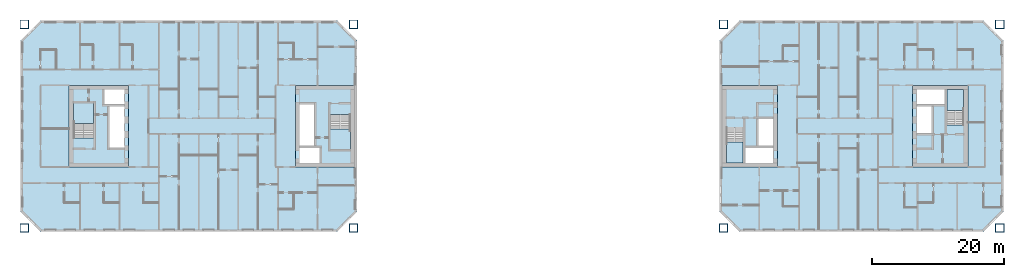
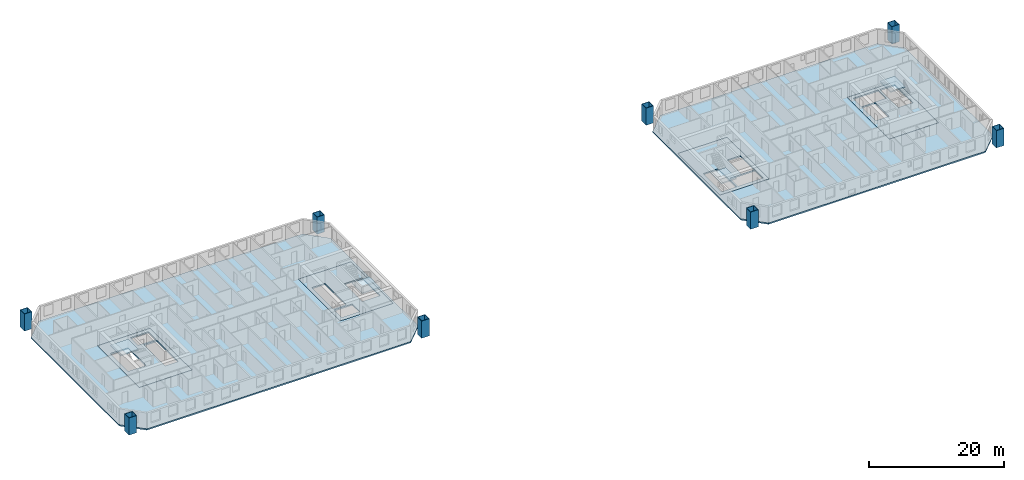
# One storey, part 1 of 17: 10 slabs, 8 columns, 4 elements without a shape of their own.
"""IFC4 building model written with IfcOpenShell, lengths in metres."""

from ifc_helpers import new_model, si_unit, direction, frame, origin, origin_2d, place, context, subcontext, project, spatial, polyline, hollow_rectangle, outline, extrude, material, layer, layer_set, material_profile, profile_set, type_object, element, aggregate, save


model = new_model("IFC4")

# Units and contexts
model_context = context("Model", 3, precision=1e-05, world=origin(), true_north=direction((0.0, 1.0)))
body_context = subcontext(model_context, "Body", "Model", "MODEL_VIEW")
ifc_project = project(units=[si_unit("LENGTHUNIT", "METRE"), si_unit("AREAUNIT", "SQUARE_METRE"), si_unit("VOLUMEUNIT", "CUBIC_METRE"), si_unit("PLANEANGLEUNIT", "RADIAN"), si_unit("MASSUNIT", "GRAM", prefix="KILO")], contexts=[model_context])

# Site, building, storey
site_placement = place(None, origin())
site = spatial("IfcSite", under=ifc_project, at=site_placement, CompositionType="ELEMENT")
building_placement = place(site_placement, origin())
building = spatial("IfcBuilding", under=site, at=building_placement, Name="Tuart Gate Housing", CompositionType="ELEMENT")
storey_placement = place(building_placement, frame((0.0, 0.0, 108.800048828125)))
storey = spatial("IfcBuildingStorey", under=building, at=storey_placement, Name="L30", CompositionType="ELEMENT", Elevation=108.800048828125)

# Columns
ifc_material_1 = material(Name="Steel Grade 350", Category="steel")
ifc_material_profile = material_profile(ifc_material_1, hollow_rectangle(XDim=1.300048828125, YDim=1.300048828125, WallThickness=0.070068359375, at=origin_2d()), Name="BOX 1300x1300x70")
ifc_profile_set = profile_set([ifc_material_profile], Name="Steel Grade 350")
column_type = type_object("IfcColumnType", Name="Mega column BOX 1300x1300x70", PredefinedType="COLUMN", material=ifc_profile_set)
for number, where, z_axis, x_axis, name in (
    (1, (25.550048828125, 54.550048828125, 0.0), (0.0, 0.0, 1.0), (1.0, 0.0, 0.0), "Mega column A south-west L30"),
    (2, (75.449951171875, 54.550048828125, 0.0), (0.0, 0.0, 1.0), (1.0, 0.0, 0.0), "Mega column A south-east L30"),
    (3, (75.449951171875, 85.449951171875, 0.0), (0.0, 0.0, 1.0), (1.0, 0.0, 0.0), "Mega column A north-east L30"),
    (4, (25.550048828125, 85.449951171875, 0.0), (0.0, 0.0, 1.0), (1.0, 0.0, 0.0), "Mega column A north-west L30"),
    (5, (131.550048828125, 54.550048828125, 0.0), (0.0, 0.0, 1.0), (1.0, 0.0, 0.0), "Mega column B south-west L30"),
    (6, (173.449951171875, 54.550048828125, 0.0), (0.0, 0.0, 1.0), (1.0, 0.0, 0.0), "Mega column B south-east L30"),
    (7, (173.449951171875, 85.449951171875, 0.0), (0.0, 0.0, 1.0), (1.0, 0.0, 0.0), "Mega column B north-east L30"),
    (8, (131.550048828125, 85.449951171875, 0.0), (0.0, 0.0, 1.0), (1.0, 0.0, 0.0), "Mega column B north-west L30"),
):
    element("IfcColumn", number, at=place(storey_placement, frame(where, z_axis=z_axis, x_axis=x_axis)), inside=storey, type_object=column_type, Name=name, PredefinedType="COLUMN", context=body_context, shape_type="SweptSolid", body=[
        extrude(hollow_rectangle(XDim=1.300048828125, YDim=1.300048828125, WallThickness=0.070068359375, at=origin_2d()), origin(), (0.0, 0.0, 1.0), 3.099853515625),
    ])

# Slabs
ifc_material_2 = material(Name="Concrete C40", Category="concrete")
ifc_layer_1 = layer(ifc_material_2, 0.25)
ifc_layer_set_1 = layer_set([ifc_layer_1], Name="Core floor slab 250")
slab_type_1 = type_object("IfcSlabType", Name="Core floor slab 250", PredefinedType="FLOOR", material=ifc_layer_set_1)
slab_1_placement = place(storey_placement, frame((0.0, 0.0, -0.25)))
element("IfcSlab", 9, at=slab_1_placement, inside=storey, type_object=slab_type_1, Name="Core floor AG", PredefinedType="FLOOR", context=body_context, shape_type="SweptSolid", body=[
    extrude(outline(polyline([(66.639892578125, 63.800048828125), (75.639892578125, 63.800048828125), (75.639892578125, 76.199951171875), (66.639892578125, 76.199951171875), (66.639892578125, 63.800048828125)]), holes=[polyline([(67.2900390625, 64.449951171875), (70.360107421875, 64.449951171875), (70.360107421875, 66.699951171875), (67.2900390625, 66.699951171875), (67.2900390625, 64.449951171875)]), polyline([(67.2900390625, 67.0), (69.5400390625, 67.0), (69.5400390625, 73.300048828125), (67.2900390625, 73.300048828125), (67.2900390625, 67.0)]), polyline([(71.93994140625, 66.5), (74.989990234375, 66.5), (74.989990234375, 71.780029296875), (71.93994140625, 71.780029296875), (71.93994140625, 66.5)])]), origin(), (0.0, 0.0, 1.0), 0.25),
])
slab_2_placement = place(storey_placement, frame((0.0, 0.0, -0.25)))
element("IfcSlab", 10, at=slab_2_placement, inside=storey, type_object=slab_type_1, Name="Core floor AK", PredefinedType="FLOOR", context=body_context, shape_type="SweptSolid", body=[
    extrude(outline(polyline([(32.360107421875, 63.800048828125), (41.360107421875, 63.800048828125), (41.360107421875, 76.199951171875), (32.360107421875, 76.199951171875), (32.360107421875, 63.800048828125)]), holes=[polyline([(40.7099609375, 75.550048828125), (37.639892578125, 75.550048828125), (37.639892578125, 73.300048828125), (40.7099609375, 73.300048828125), (40.7099609375, 75.550048828125)]), polyline([(40.7099609375, 73.0), (38.4599609375, 73.0), (38.4599609375, 66.699951171875), (40.7099609375, 66.699951171875), (40.7099609375, 73.0)]), polyline([(36.06005859375, 73.5), (33.010009765625, 73.5), (33.010009765625, 68.219970703125), (36.06005859375, 68.219970703125), (36.06005859375, 73.5)])]), origin(), (0.0, 0.0, 1.0), 0.25),
])
slab_3_placement = place(storey_placement, frame((0.0, 0.0, -0.25)))
element("IfcSlab", 11, at=slab_3_placement, inside=storey, type_object=slab_type_1, Name="Core floor BG", PredefinedType="FLOOR", context=body_context, shape_type="SweptSolid", body=[
    extrude(outline(polyline([(131.360107421875, 63.800048828125), (139.760009765625, 63.800048828125), (139.760009765625, 76.199951171875), (131.360107421875, 76.199951171875), (131.360107421875, 63.800048828125)]), holes=[polyline([(139.110107421875, 66.85009765625), (134.860107421875, 66.85009765625), (134.860107421875, 64.449951171875), (139.110107421875, 64.449951171875), (139.110107421875, 66.85009765625)]), polyline([(139.110107421875, 71.10009765625), (136.860107421875, 71.10009765625), (136.860107421875, 67.0), (139.110107421875, 67.0), (139.110107421875, 71.10009765625)]), polyline([(134.56005859375, 69.830078125), (132.010009765625, 69.830078125), (132.010009765625, 64.449951171875), (134.56005859375, 64.449951171875), (134.56005859375, 69.830078125)])]), origin(), (0.0, 0.0, 1.0), 0.25),
])
slab_4_placement = place(storey_placement, frame((0.0, 0.0, -0.25)))
element("IfcSlab", 12, at=slab_4_placement, inside=storey, type_object=slab_type_1, Name="Core floor BK", PredefinedType="FLOOR", context=body_context, shape_type="SweptSolid", body=[
    extrude(outline(polyline([(160.239990234375, 63.800048828125), (168.639892578125, 63.800048828125), (168.639892578125, 76.199951171875), (160.239990234375, 76.199951171875), (160.239990234375, 63.800048828125)]), holes=[polyline([(160.889892578125, 73.14990234375), (165.139892578125, 73.14990234375), (165.139892578125, 75.550048828125), (160.889892578125, 75.550048828125), (160.889892578125, 73.14990234375)]), polyline([(160.889892578125, 68.89990234375), (163.139892578125, 68.89990234375), (163.139892578125, 73.0), (160.889892578125, 73.0), (160.889892578125, 68.89990234375)]), polyline([(165.43994140625, 70.169921875), (167.989990234375, 70.169921875), (167.989990234375, 75.550048828125), (165.43994140625, 75.550048828125), (165.43994140625, 70.169921875)])]), origin(), (0.0, 0.0, 1.0), 0.25),
])
ifc_material_3 = material(Name="Concrete C40", Category="concrete")
ifc_layer_2 = layer(ifc_material_3, 0.25)
ifc_layer_set_2 = layer_set([ifc_layer_2], Name="Flat plate 250")
slab_type_2 = type_object("IfcSlabType", Name="Flat plate 250", PredefinedType="FLOOR", material=ifc_layer_set_2)
slab_5_placement = place(storey_placement, frame((0.0, 0.0, -0.25)))
element("IfcSlab", 13, at=slab_5_placement, inside=storey, type_object=slab_type_2, Name="Floor slab A L30", PredefinedType="FLOOR", context=body_context, shape_type="SweptSolid", body=[
    extrude(outline(polyline([(28.0, 86.0), (25.0, 83.0), (25.0, 57.0), (28.0, 54.0), (73.0, 54.0), (76.0, 57.0), (76.0, 83.0), (73.0, 86.0), (28.0, 86.0)]), holes=[polyline([(66.639892578125, 76.199951171875), (75.639892578125, 76.199951171875), (75.639892578125, 63.800048828125), (66.639892578125, 63.800048828125), (66.639892578125, 76.199951171875)]), polyline([(41.360107421875, 76.199951171875), (41.360107421875, 63.800048828125), (32.360107421875, 63.800048828125), (32.360107421875, 76.199951171875), (41.360107421875, 76.199951171875)])]), origin(), (0.0, 0.0, 1.0), 0.25),
])
slab_6_placement = place(storey_placement, frame((0.0, 0.0, -0.25)))
element("IfcSlab", 14, at=slab_6_placement, inside=storey, type_object=slab_type_2, Name="Floor slab B L30", PredefinedType="FLOOR", context=body_context, shape_type="SweptSolid", body=[
    extrude(outline(polyline([(134.0, 86.0), (131.0, 83.0), (131.0, 57.0), (134.0, 54.0), (171.0, 54.0), (174.0, 57.0), (174.0, 83.0), (171.0, 86.0), (134.0, 86.0)]), holes=[polyline([(131.360107421875, 76.199951171875), (139.760009765625, 76.199951171875), (139.760009765625, 63.800048828125), (131.360107421875, 63.800048828125), (131.360107421875, 76.199951171875)]), polyline([(168.639892578125, 76.199951171875), (168.639892578125, 63.800048828125), (160.239990234375, 63.800048828125), (160.239990234375, 76.199951171875), (168.639892578125, 76.199951171875)])]), origin(), (0.0, 0.0, 1.0), 0.25),
])

# Stair, slab
ifc_material_4 = material(Name="Concrete C40", Category="concrete")
stair_type_1 = type_object("IfcStairType", Name="Core stair 1500", PredefinedType="HALF_TURN_STAIR", material=ifc_material_4)
stair_1_placement = place(storey_placement, origin())
stair_1 = element("IfcStair", 15, at=stair_1_placement, inside=storey, type_object=stair_type_1, Name="Stair SA1", PredefinedType="HALF_TURN_STAIR")
ifc_material_5 = material(Name="Concrete C40", Category="concrete")
ifc_layer_3 = layer(ifc_material_5, 0.199951171875)
ifc_layer_set_3 = layer_set([ifc_layer_3], Name="Stair landing 200")
slab_type_3 = type_object("IfcSlabType", Name="Stair landing 200", PredefinedType="LANDING", material=ifc_layer_set_3)
slab_7_placement = place(storey_placement, frame((0.0, 0.0, 1.349853515625)))
slab_7 = element("IfcSlab", 16, at=slab_7_placement, type_object=slab_type_3, Name="SA1 landing 1", PredefinedType="LANDING", context=body_context, shape_type="SweptSolid", body=[
    extrude(outline(polyline([(71.93994140625, 66.5), (74.989990234375, 66.5), (74.989990234375, 69.56005859375), (71.93994140625, 69.56005859375), (71.93994140625, 66.5)])), origin(), (0.0, 0.0, 1.0), 0.2001953125),
])
aggregate(stair_1, [slab_7])

stair_2_placement = place(storey_placement, origin())
stair_2 = element("IfcStair", 17, at=stair_2_placement, inside=storey, type_object=stair_type_1, Name="Stair SA2", PredefinedType="HALF_TURN_STAIR")
slab_8_placement = place(storey_placement, frame((0.0, 0.0, 1.349853515625)))
slab_8 = element("IfcSlab", 18, at=slab_8_placement, type_object=slab_type_3, Name="SA2 landing 1", PredefinedType="LANDING", context=body_context, shape_type="SweptSolid", body=[
    extrude(outline(polyline([(36.06005859375, 73.5), (33.010009765625, 73.5), (33.010009765625, 70.43994140625), (36.06005859375, 70.43994140625), (36.06005859375, 73.5)])), origin(), (0.0, 0.0, 1.0), 0.2001953125),
])
aggregate(stair_2, [slab_8])

ifc_material_6 = material(Name="Concrete C40", Category="concrete")
stair_type_2 = type_object("IfcStairType", Name="Core stair 1250", PredefinedType="HALF_TURN_STAIR", material=ifc_material_6)
stair_3_placement = place(storey_placement, origin())
stair_3 = element("IfcStair", 19, at=stair_3_placement, inside=storey, type_object=stair_type_2, Name="Stair SB1", PredefinedType="HALF_TURN_STAIR")
slab_9_placement = place(storey_placement, frame((0.0, 0.0, 1.349853515625)))
slab_9 = element("IfcSlab", 20, at=slab_9_placement, type_object=slab_type_3, Name="SB1 landing 1", PredefinedType="LANDING", context=body_context, shape_type="SweptSolid", body=[
    extrude(outline(polyline([(134.56005859375, 67.610107421875), (132.010009765625, 67.610107421875), (132.010009765625, 64.449951171875), (134.56005859375, 64.449951171875), (134.56005859375, 67.610107421875)])), origin(), (0.0, 0.0, 1.0), 0.2001953125),
])
aggregate(stair_3, [slab_9])

stair_4_placement = place(storey_placement, origin())
stair_4 = element("IfcStair", 21, at=stair_4_placement, inside=storey, type_object=stair_type_2, Name="Stair SB2", PredefinedType="HALF_TURN_STAIR")
slab_10_placement = place(storey_placement, frame((0.0, 0.0, 1.349853515625)))
slab_10 = element("IfcSlab", 22, at=slab_10_placement, type_object=slab_type_3, Name="SB2 landing 1", PredefinedType="LANDING", context=body_context, shape_type="SweptSolid", body=[
    extrude(outline(polyline([(165.43994140625, 72.389892578125), (167.989990234375, 72.389892578125), (167.989990234375, 75.550048828125), (165.43994140625, 75.550048828125), (165.43994140625, 72.389892578125)])), origin(), (0.0, 0.0, 1.0), 0.2001953125),
])
aggregate(stair_4, [slab_10])

save(model, "model.ifc")
